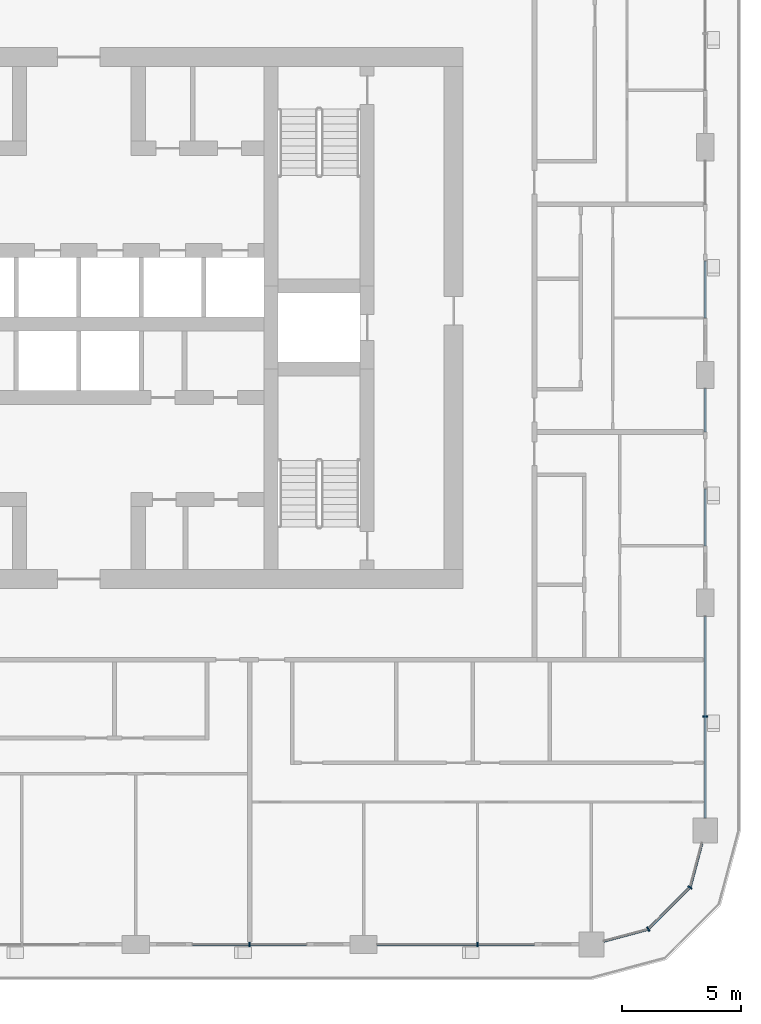
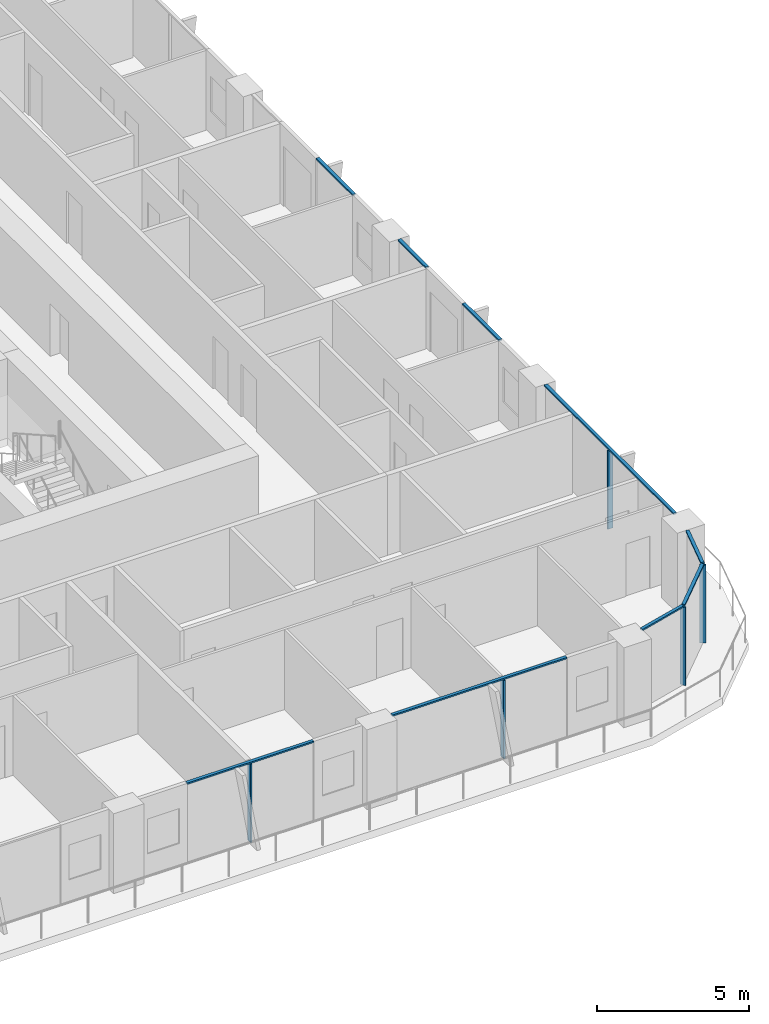
# One storey, part 4 of 22: 14 members, 6 elements without a shape of their own.
"""IFC4 building model written with IfcOpenShell, lengths in metres."""

from ifc_helpers import new_model, si_unit, direction, frame, origin, origin_2d, place, context, subcontext, project, spatial, rectangle, extrude, material, layer, layer_set, material_profile, profile_set, type_object, element, aggregate, save


model = new_model("IFC4")

# Units and contexts
model_context = context("Model", 3, precision=1e-05, world=origin(), true_north=direction((0.0, 1.0)))
body_context = subcontext(model_context, "Body", "Model", "MODEL_VIEW")
ifc_project = project(units=[si_unit("LENGTHUNIT", "METRE"), si_unit("AREAUNIT", "SQUARE_METRE"), si_unit("VOLUMEUNIT", "CUBIC_METRE"), si_unit("PLANEANGLEUNIT", "RADIAN"), si_unit("MASSUNIT", "GRAM", prefix="KILO")], contexts=[model_context])

# Site, building, storey
site_placement = place(None, origin())
site = spatial("IfcSite", under=ifc_project, at=site_placement, CompositionType="ELEMENT")
building_placement = place(site_placement, origin())
building = spatial("IfcBuilding", under=site, at=building_placement, Name="Madar Terraces", CompositionType="ELEMENT")
storey_placement = place(building_placement, frame((0.0, 0.0, 166.5)))
storey = spatial("IfcBuildingStorey", under=building, at=storey_placement, Name="L43", CompositionType="ELEMENT", Elevation=166.5)

# Curtain wall, member
ifc_material_1 = material(Name="Glass, ceramic frit dark grey, with black aluminium frame", Category="aluminium")
ifc_layer = layer(ifc_material_1, 0.199951171875)
ifc_layer_set = layer_set([ifc_layer], Name="Facade curtain wall, fritted glass")
curtain_wall_type = type_object("IfcCurtainWallType", Name="Facade curtain wall, fritted glass", PredefinedType="NOTDEFINED", material=ifc_layer_set)
curtain_wall_1_placement = place(storey_placement, origin())
curtain_wall_1 = element("IfcCurtainWall", 1, at=curtain_wall_1_placement, inside=storey, type_object=curtain_wall_type, Name="Outer skin curtain wall south bay 4", PredefinedType="NOTDEFINED")
ifc_material_2 = material(Name="Aluminium, black anodised", Category="aluminium")
ifc_material_profile_1 = material_profile(ifc_material_2, rectangle(XDim=0.199951171875, YDim=0.06005859375, at=origin_2d()), Name="Facade mullion 60x200")
ifc_profile_set_1 = profile_set([ifc_material_profile_1], Name="Aluminium, black anodised")
member_type_1 = type_object("IfcMemberType", Name="Facade mullion 60x200", PredefinedType="MULLION", material=ifc_profile_set_1)
member_1_placement = place(storey_placement, frame((38.39990234375, 0.0, 0.0), z_axis=(0.0, 0.0, 1.0), x_axis=(0.0, 1.0, 0.0)))
member_1 = element("IfcMember", 2, at=member_1_placement, type_object=member_type_1, Name="Mullion 1", PredefinedType="MULLION", context=body_context, shape_type="SweptSolid", body=[
    extrude(rectangle(XDim=0.199951171875, YDim=0.06005859375, at=origin_2d()), origin(), (0.0, 0.0, 1.0), 3.139892578125),
])

curtain_wall_2_placement = place(storey_placement, origin())
curtain_wall_2 = element("IfcCurtainWall", 3, at=curtain_wall_2_placement, inside=storey, type_object=curtain_wall_type, Name="Outer skin curtain wall south bay 5", PredefinedType="NOTDEFINED")
member_2_placement = place(storey_placement, frame((48.0, 0.0, 0.0), z_axis=(0.0, 0.0, 1.0), x_axis=(0.0, 1.0, 0.0)))
member_2 = element("IfcMember", 4, at=member_2_placement, type_object=member_type_1, Name="Mullion 1", PredefinedType="MULLION", context=body_context, shape_type="SweptSolid", body=[
    extrude(rectangle(XDim=0.199951171875, YDim=0.06005859375, at=origin_2d()), origin(), (0.0, 0.0, 1.0), 3.139892578125),
])

curtain_wall_3_placement = place(storey_placement, origin())
curtain_wall_3 = element("IfcCurtainWall", 5, at=curtain_wall_3_placement, inside=storey, type_object=curtain_wall_type, Name="Outer skin curtain wall east bay 1", PredefinedType="NOTDEFINED")
member_3_placement = place(storey_placement, frame((57.60009765625, 9.60009765625, 0.0), z_axis=(0.0, 0.0, 1.0), x_axis=(-1.0, 0.0, 0.0)))
member_3 = element("IfcMember", 6, at=member_3_placement, type_object=member_type_1, Name="Mullion 1", PredefinedType="MULLION", context=body_context, shape_type="SweptSolid", body=[
    extrude(rectangle(XDim=0.199951171875, YDim=0.06005859375, at=origin_2d()), origin(), (0.0, 0.0, 1.0), 3.139892578125),
])

# Curtain wall, members
curtain_wall_4_placement = place(storey_placement, origin())
curtain_wall_4 = element("IfcCurtainWall", 7, at=curtain_wall_4_placement, inside=storey, type_object=curtain_wall_type, Name="Outer skin curtain wall south-east corner", PredefinedType="NOTDEFINED")
member_4_placement = place(storey_placement, frame((55.199951171875, 0.64306640625, 0.0), z_axis=(0.0, 0.0, 1.0), x_axis=(-0.499999989586, 0.866025409797, 0.0)))
member_4 = element("IfcMember", 8, at=member_4_placement, type_object=member_type_1, Name="Mullion 1", PredefinedType="MULLION", context=body_context, shape_type="SweptSolid", body=[
    extrude(rectangle(XDim=0.199951171875, YDim=0.06005859375, at=origin_2d()), origin(), (0.0, 0.0, 1.0), 3.139892578125),
])
member_5_placement = place(storey_placement, frame((56.95703125, 2.39990234375, 0.0), z_axis=(0.0, 0.0, 1.0), x_axis=(-0.866025409797, 0.499999989586, 0.0)))
member_5 = element("IfcMember", 9, at=member_5_placement, type_object=member_type_1, Name="Mullion 2", PredefinedType="MULLION", context=body_context, shape_type="SweptSolid", body=[
    extrude(rectangle(XDim=0.199951171875, YDim=0.06005859375, at=origin_2d()), origin(), (0.0, 0.0, 1.0), 3.139892578125),
])

# Member
ifc_material_3 = material(Name="Aluminium, black anodised", Category="aluminium")
ifc_material_profile_2 = material_profile(ifc_material_3, rectangle(XDim=0.1201171875, YDim=0.06005859375, at=origin_2d()), Name="Facade transom 60x120")
ifc_profile_set_2 = profile_set([ifc_material_profile_2], Name="Aluminium, black anodised")
member_type_2 = type_object("IfcMemberType", Name="Facade transom 60x120", PredefinedType="USERDEFINED", material=ifc_profile_set_2)
member_6_placement = place(storey_placement, frame((36.0, 0.0, 3.169921875), z_axis=(1.0, 0.0, 0.0), x_axis=(0.0, 1.0, 0.0)))
member_6 = element("IfcMember", 10, at=member_6_placement, type_object=member_type_2, Name="Transom 1", ObjectType="TRANSOM", PredefinedType="USERDEFINED", context=body_context, shape_type="SweptSolid", body=[
    extrude(rectangle(XDim=0.1201171875, YDim=0.06005859375, at=origin_2d()), origin(), (0.0, 0.0, 1.0), 4.800048828125),
])

aggregate(curtain_wall_1, [member_1, member_6])

member_7_placement = place(storey_placement, frame((43.77490234375, 0.0, 3.169921875), z_axis=(1.0, 0.0, 0.0), x_axis=(0.0, 1.0, 0.0)))
member_7 = element("IfcMember", 11, at=member_7_placement, type_object=member_type_2, Name="Transom 1", ObjectType="TRANSOM", PredefinedType="USERDEFINED", context=body_context, shape_type="SweptSolid", body=[
    extrude(rectangle(XDim=0.1201171875, YDim=0.06005859375, at=origin_2d()), origin(), (0.0, 0.0, 1.0), 6.625),
])

aggregate(curtain_wall_2, [member_2, member_7])

member_8_placement = place(storey_placement, frame((57.60009765625, 5.324951171875, 3.169921875), z_axis=(0.0, 1.0, 0.0), x_axis=(-1.0, 0.0, 0.0)))
member_8 = element("IfcMember", 12, at=member_8_placement, type_object=member_type_2, Name="Transom 1", ObjectType="TRANSOM", PredefinedType="USERDEFINED", context=body_context, shape_type="SweptSolid", body=[
    extrude(rectangle(XDim=0.1201171875, YDim=0.06005859375, at=origin_2d()), origin(), (0.0, 0.0, 1.0), 8.5),
])

aggregate(curtain_wall_3, [member_3, member_8])

# Curtain wall, members
curtain_wall_5_placement = place(storey_placement, origin())
curtain_wall_5 = element("IfcCurtainWall", 13, at=curtain_wall_5_placement, inside=storey, type_object=curtain_wall_type, Name="Outer skin curtain wall east bay 2", PredefinedType="NOTDEFINED")
member_9_placement = place(storey_placement, frame((57.60009765625, 16.800048828125, 3.169921875), z_axis=(0.0, 1.0, 0.0), x_axis=(-1.0, 0.0, 0.0)))
member_9 = element("IfcMember", 14, at=member_9_placement, type_object=member_type_2, Name="Transom 1", ObjectType="TRANSOM", PredefinedType="USERDEFINED", context=body_context, shape_type="SweptSolid", body=[
    extrude(rectangle(XDim=0.1201171875, YDim=0.06005859375, at=origin_2d()), origin(), (0.0, 0.0, 1.0), 2.39990234375),
])
member_10_placement = place(storey_placement, frame((57.60009765625, 21.60009765625, 3.169921875), z_axis=(0.0, 1.0, 0.0), x_axis=(-1.0, 0.0, 0.0)))
member_10 = element("IfcMember", 15, at=member_10_placement, type_object=member_type_2, Name="Transom 2", ObjectType="TRANSOM", PredefinedType="USERDEFINED", context=body_context, shape_type="SweptSolid", body=[
    extrude(rectangle(XDim=0.1201171875, YDim=0.06005859375, at=origin_2d()), origin(), (0.0, 0.0, 1.0), 1.824951171875),
])
aggregate(curtain_wall_5, [member_9, member_10])

# Curtain wall, member
curtain_wall_6_placement = place(storey_placement, origin())
curtain_wall_6 = element("IfcCurtainWall", 16, at=curtain_wall_6_placement, inside=storey, type_object=curtain_wall_type, Name="Outer skin curtain wall east bay 3", PredefinedType="NOTDEFINED")
member_11_placement = place(storey_placement, frame((57.60009765625, 26.39990234375, 3.169921875), z_axis=(0.0, 1.0, 0.0), x_axis=(-1.0, 0.0, 0.0)))
member_11 = element("IfcMember", 17, at=member_11_placement, type_object=member_type_2, Name="Transom 1", ObjectType="TRANSOM", PredefinedType="USERDEFINED", context=body_context, shape_type="SweptSolid", body=[
    extrude(rectangle(XDim=0.1201171875, YDim=0.06005859375, at=origin_2d()), origin(), (0.0, 0.0, 1.0), 2.400146484375),
])
aggregate(curtain_wall_6, [member_11])

# Member
member_12_placement = place(storey_placement, frame((53.324951171875, 0.140625, 3.169921875), z_axis=(0.965933227928, 0.25879142023, 0.0), x_axis=(-0.25879142023, 0.965933227928, 0.0)))
member_12 = element("IfcMember", 18, at=member_12_placement, type_object=member_type_2, Name="Transom 1", ObjectType="TRANSOM", PredefinedType="USERDEFINED", context=body_context, shape_type="SweptSolid", body=[
    extrude(rectangle(XDim=0.1201171875, YDim=0.06005859375, at=origin_2d()), origin(), (0.0, 0.0, 1.0), 1.911376953125),
])

member_13_placement = place(storey_placement, frame((55.22119140625, 0.664306640625, 3.169921875), z_axis=(0.707106781187, 0.707106781187, 0.0), x_axis=(-0.707106781187, 0.707106781187, 0.0)))
member_13 = element("IfcMember", 19, at=member_13_placement, type_object=member_type_2, Name="Transom 2", ObjectType="TRANSOM", PredefinedType="USERDEFINED", context=body_context, shape_type="SweptSolid", body=[
    extrude(rectangle(XDim=0.1201171875, YDim=0.06005859375, at=origin_2d()), origin(), (0.0, 0.0, 1.0), 2.4248046875),
])

member_14_placement = place(storey_placement, frame((56.964599609375, 2.428955078125, 3.169921875), z_axis=(0.258823354654, 0.965924671538, 0.0), x_axis=(-0.965924671538, 0.258823354654, 0.0)))
member_14 = element("IfcMember", 20, at=member_14_placement, type_object=member_type_2, Name="Transom 3", ObjectType="TRANSOM", PredefinedType="USERDEFINED", context=body_context, shape_type="SweptSolid", body=[
    extrude(rectangle(XDim=0.1201171875, YDim=0.06005859375, at=origin_2d()), origin(), (0.0, 0.0, 1.0), 1.9111328125),
])

aggregate(curtain_wall_4, [member_4, member_12, member_5, member_13, member_14])

save(model, "model.ifc")
